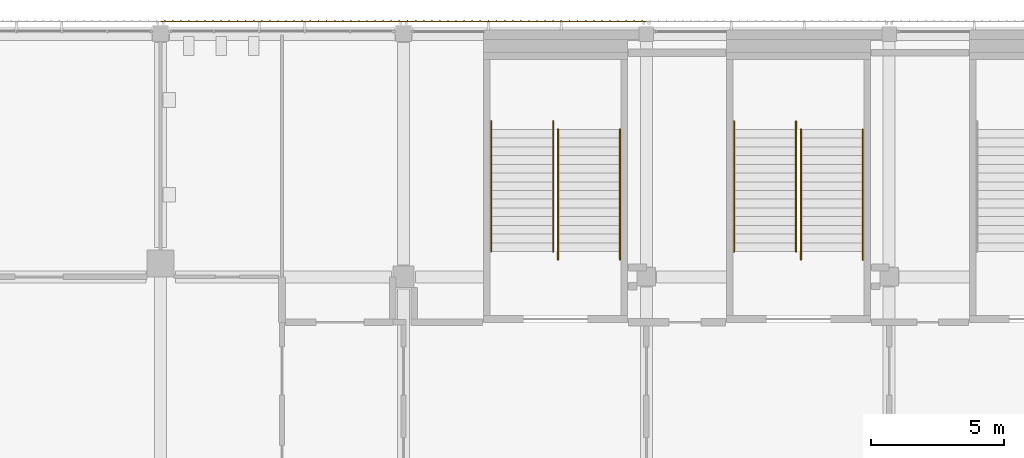
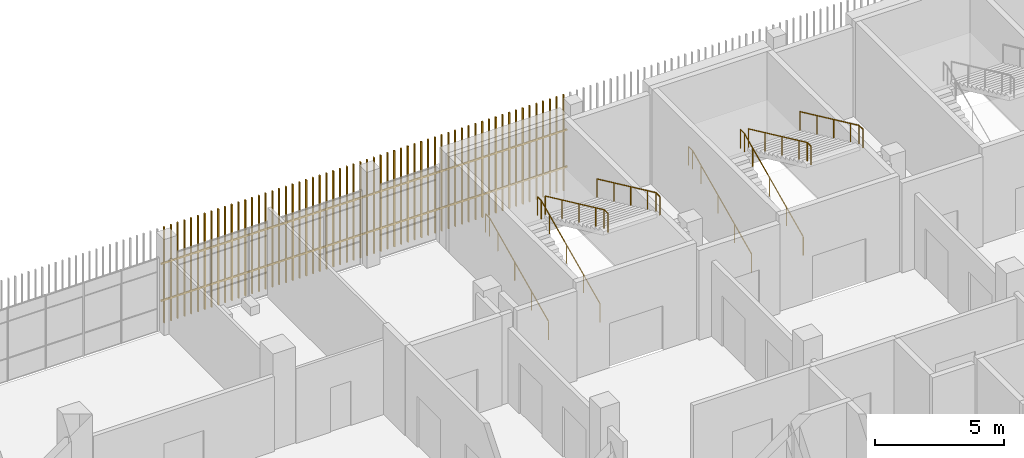
# One storey, part 119 of 126: 8 railings, 2 shading devices.
"""IFC4 building model written with IfcOpenShell, lengths in metres."""

import ifcopenshell
import ifcopenshell.guid

model = None  # the IFC model being written
_history = None  # IfcOwnerHistory: only IFC2X3 demands one
_inside = {}  # id of a spatial element -> (the spatial element, [elements in it])
_under = {}  # id of a project, library or spatial element -> (it, [spatial elements below it])
_declared = {}  # id of a project -> (the project, [libraries it declares])
_typed = {}  # id of a type object -> (the type object, [elements of that type])
_made_of = {}  # id of a material, layer set ... -> (it, [elements and type objects made of it])


def new_model(schema):
    """Start an empty IFC model of exactly this schema.

    Asked for "IFC4X3", IfcOpenShell would pick the latest addendum, in which some entities
    have other attributes; the version numbers below select the first issue.
    IFC2X3 requires an IfcOwnerHistory on every rooted entity: one is made here for all.
    """
    global model, _history
    if schema == "IFC4X3":
        model = ifcopenshell.file(schema_version=(4, 3, 0, 0))
    else:
        model = ifcopenshell.file(schema=schema)
    _inside.clear()
    _under.clear()
    _declared.clear()
    _typed.clear()
    _made_of.clear()
    _history = None
    if model.schema == "IFC2X3":
        org = make("IfcOrganization", Name="unknown")
        user = make(
            "IfcPersonAndOrganization",
            ThePerson=make("IfcPerson", FamilyName="unknown"),
            TheOrganization=org,
        )
        app = make(
            "IfcApplication",
            ApplicationDeveloper=org,
            Version="unknown",
            ApplicationFullName="unknown",
            ApplicationIdentifier="unknown",
        )
        _history = make(
            "IfcOwnerHistory",
            OwningUser=user,
            OwningApplication=app,
            ChangeAction="ADDED",
            CreationDate=0,
        )
    return model


def make(cls, **values):
    """One entity of the class cls with the attributes given. An attribute that is None is left unset."""
    return model.create_entity(
        cls, **{name: value for name, value in values.items() if value is not None}
    )


def rooted(cls, **values):
    """An entity with a GlobalId (a new one), such as an element, a storey or a relation."""
    return make(cls, GlobalId=ifcopenshell.guid.new(), OwnerHistory=_history, **values)


def si_unit(unit_type, name, prefix=None):
    """IfcSIUnit, for example si_unit("LENGTHUNIT", "METRE", prefix="MILLI")."""
    return make("IfcSIUnit", UnitType=unit_type, Prefix=prefix, Name=name)


def assignment(units):
    """IfcUnitAssignment: the units of a project."""
    return None if units is None else make("IfcUnitAssignment", Units=units)


def point(xyz):
    """IfcCartesianPoint."""
    return None if xyz is None else make("IfcCartesianPoint", Coordinates=xyz)


def direction(xyz):
    """IfcDirection."""
    return None if xyz is None else make("IfcDirection", DirectionRatios=xyz)


def frame(location, z_axis=None, x_axis=None):
    """IfcAxis2Placement3D, a coordinate frame: its origin and axes. An axis left out is left unset."""
    return make(
        "IfcAxis2Placement3D",
        Location=point(location),
        Axis=direction(z_axis),
        RefDirection=direction(x_axis),
    )


def frame_2d(location, x_axis=None):
    """IfcAxis2Placement2D, a coordinate frame in the plane: its origin and x axis."""
    return make(
        "IfcAxis2Placement2D", Location=point(location), RefDirection=direction(x_axis)
    )


def origin():
    """The frame at (0, 0, 0) with its axes left unset."""
    return frame((0.0, 0.0, 0.0))


def origin_2d():
    """The frame at (0, 0) in the plane with its x axis left unset."""
    return frame_2d((0.0, 0.0))


def place(relative_to, where):
    """IfcLocalPlacement: puts the frame where relative to a parent placement (None: the world)."""
    return make(
        "IfcLocalPlacement", PlacementRelTo=relative_to, RelativePlacement=where
    )


def context(
    kind, dimensions, precision=None, world=None, true_north=None, identifier=None
):
    """IfcGeometricRepresentationContext, for example the 3D "Model" context."""
    return make(
        "IfcGeometricRepresentationContext",
        ContextIdentifier=identifier,
        ContextType=kind,
        CoordinateSpaceDimension=dimensions,
        Precision=precision,
        WorldCoordinateSystem=world,
        TrueNorth=true_north,
    )


def subcontext(parent, identifier, kind, view, scale=None):
    """IfcGeometricRepresentationSubContext, for example "Body" below "Model"."""
    return make(
        "IfcGeometricRepresentationSubContext",
        ContextIdentifier=identifier,
        ContextType=kind,
        ParentContext=parent,
        TargetScale=scale,
        TargetView=view,
    )


def project(units=None, contexts=None):
    """IfcProject with its units and contexts."""
    return rooted(
        "IfcProject",
        Name="project",
        RepresentationContexts=contexts,
        UnitsInContext=assignment(units),
    )


def spatial(cls, under=None, at=None, **own):
    """A site, building, storey or space (cls), placed at a placement, below another one or the project."""
    s = rooted(cls, ObjectPlacement=at, **own)
    if under is not None:
        _under.setdefault(under.id(), (under, []))[1].append(s)
    return s


def profile(cls, at=None, kind="AREA", **sizes):
    """A parametric profile (cls). Its sizes go by their IFC names, for example OverallWidth=200.0."""
    return make(cls, ProfileType=kind, Position=at, **sizes)


def rectangle(**sizes):
    """IfcRectangleProfileDef."""
    return profile("IfcRectangleProfileDef", **sizes)


def circle(**sizes):
    """IfcCircleProfileDef."""
    return profile("IfcCircleProfileDef", **sizes)


def extrude(swept, where, along, depth):
    """IfcExtrudedAreaSolid: the profile swept, set in the frame where, extruded along a direction by depth."""
    return make(
        "IfcExtrudedAreaSolid",
        SweptArea=swept,
        Position=where,
        ExtrudedDirection=direction(along),
        Depth=depth,
    )


def shape(context_of_items, identifier, shape_type, items):
    """IfcShapeRepresentation: the items that make up one representation, for example the "Body"."""
    return make(
        "IfcShapeRepresentation",
        ContextOfItems=context_of_items,
        RepresentationIdentifier=identifier,
        RepresentationType=shape_type,
        Items=items,
    )


def material(Name=None, Category=None):
    """IfcMaterial."""
    return make("IfcMaterial", Name=Name, Category=Category)


def made_of(thing, what):
    """Note that an element or type object is made of a material, layer set ...; save() writes the relation."""
    if what is not None:
        _made_of.setdefault(what.id(), (what, []))[1].append(thing)
    return thing


def type_object(cls, material=None, **own):
    """A type object (cls), such as IfcWallType, which elements share."""
    return made_of(rooted(cls, **own), material)


def element(
    cls,
    number,
    at=None,
    inside=None,
    cuts=None,
    type_object=None,
    material=None,
    context=None,
    identifier="Body",
    shape_type=None,
    held_by="IfcProductDefinitionShape",
    body=None,
    shapes=None,
    **own,
):
    """One element of the class cls, such as IfcWall. Its Tag is "e" and its number.

    at: its placement. inside: the storey or other place that contains it. cuts: it is an
    opening in that element (IfcRelVoidsElement). A single representation is given by context,
    identifier, shape_type and body (its items); several are given by shapes. held_by: the class
    of the entity that holds the representations. save() writes the other relations.
    """
    e = rooted(cls, Tag="e%d" % number, ObjectPlacement=at, **own)
    if body is not None:
        shapes = [shape(context, identifier, shape_type, body)]
    if shapes is not None:
        e.Representation = make(held_by, Representations=shapes)
    if inside is not None:
        _inside.setdefault(inside.id(), (inside, []))[1].append(e)
    if cuts is not None:
        rooted(
            "IfcRelVoidsElement", RelatingBuildingElement=cuts, RelatedOpeningElement=e
        )
    if type_object is not None:
        _typed.setdefault(type_object.id(), (type_object, []))[1].append(e)
    return made_of(e, material)


def aggregate(whole, parts):
    """IfcRelAggregates: a whole, such as a stair, and the parts it consists of."""
    return rooted("IfcRelAggregates", RelatingObject=whole, RelatedObjects=parts)


def save(model, path):
    """Write the relations noted so far, then the file.

    IfcRelAggregates (storeys below a building ...), IfcRelContainedInSpatialStructure (elements
    in a storey), IfcRelDefinesByType, IfcRelAssociatesMaterial and IfcRelDeclares: one each for
    every whole, place, type object, material and project.
    """
    for whole, parts in _under.values():
        aggregate(whole, parts)
    for where, things in _inside.values():
        rooted(
            "IfcRelContainedInSpatialStructure",
            RelatedElements=things,
            RelatingStructure=where,
        )
    for kind, things in _typed.values():
        rooted("IfcRelDefinesByType", RelatedObjects=things, RelatingType=kind)
    for what, things in _made_of.values():
        rooted("IfcRelAssociatesMaterial", RelatedObjects=things, RelatingMaterial=what)
    for by, libraries in _declared.values():
        rooted("IfcRelDeclares", RelatingContext=by, RelatedDefinitions=libraries)
    model.write(path)


model = new_model("IFC4")

# Units and contexts
model_context = context("Model", 3, precision=1e-05, world=origin(), true_north=direction((0.0, 1.0)))
body_context = subcontext(model_context, "Body", "Model", "MODEL_VIEW")
ifc_project = project(units=[si_unit("LENGTHUNIT", "METRE"), si_unit("AREAUNIT", "SQUARE_METRE"), si_unit("VOLUMEUNIT", "CUBIC_METRE"), si_unit("PLANEANGLEUNIT", "RADIAN"), si_unit("MASSUNIT", "GRAM", prefix="KILO")], contexts=[model_context])

# Site, building, storey
site_placement = place(None, origin())
site = spatial("IfcSite", under=ifc_project, at=site_placement, CompositionType="ELEMENT")
building_placement = place(site_placement, origin())
building = spatial("IfcBuilding", under=site, at=building_placement, Name="Shirokan Park Arena", CompositionType="ELEMENT")
storey_placement = place(building_placement, frame((0.0, 0.0, 6.3701171875)))
storey = spatial("IfcBuildingStorey", under=building, at=storey_placement, Name="L01", CompositionType="ELEMENT", Elevation=6.3701171875)

# Railings
ifc_material_1 = material(Name="Stainless steel", Category="steel")
railing_type = type_object("IfcRailingType", Name="Stair handrail 900", PredefinedType="HANDRAIL", material=ifc_material_1)
railing_1_placement = place(storey_placement, frame((121.590087890625, 101.050048828125, 0.151611328125)))
element("IfcRailing", 1, at=railing_1_placement, inside=storey, type_object=railing_type, Name="Handrail Exit Stair 3.C L01 to L02", PredefinedType="HANDRAIL", context=body_context, shape_type="SweptSolid", body=[
    extrude(circle(Radius=0.02392578125, at=origin_2d()), frame((0.0, 0.0, 0.8759765625), z_axis=(0.0, 0.906999720516, 0.421131222998), x_axis=(-1.0, 0.0, 0.0)), (0.0, 0.0, 1.0), 1.440673828125),
    extrude(circle(Radius=0.02392578125, at=origin_2d()), frame((0.0, 1.306640625, 1.482421875), z_axis=(0.0, 0.907029769225, 0.421066500378), x_axis=(-1.0, 0.0, 0.0)), (0.0, 0.0, 1.0), 1.44091796875),
    extrude(circle(Radius=0.02392578125, at=origin_2d()), frame((0.0, 2.613525390625, 2.08935546875), z_axis=(0.0, 0.907094476872, 0.420927083981), x_axis=(-1.0, 0.0, 0.0)), (0.0, 0.0, 1.0), 1.440673828125),
    extrude(circle(Radius=0.02392578125, at=origin_2d()), frame((0.0, 3.92041015625, 2.69580078125), z_axis=(0.0, 0.906934982928, 0.421270621741), x_axis=(-1.0, 0.0, 0.0)), (0.0, 0.0, 1.0), 0.720458984375),
    extrude(circle(Radius=0.02392578125, at=origin_2d()), frame((0.0, 4.57373046875, 2.9990234375), z_axis=(0.0, 1.0, 0.0), x_axis=(-1.0, 0.0, 0.0)), (0.0, 0.0, 1.0), 0.300048828125),
    extrude(circle(Radius=0.02099609375, at=origin_2d()), origin(), (0.0, 0.0, 1.0), 0.851806640625),
    extrude(circle(Radius=0.02099609375, at=origin_2d()), frame((0.0, 1.306640625, 0.606689453125)), (0.0, 0.0, 1.0), 0.851806640625),
    extrude(circle(Radius=0.02099609375, at=origin_2d()), frame((0.0, 2.613525390625, 1.21337890625)), (0.0, 0.0, 1.0), 0.851806640625),
    extrude(circle(Radius=0.02099609375, at=origin_2d()), frame((0.0, 3.92041015625, 1.81982421875)), (0.0, 0.0, 1.0), 0.851806640625),
    extrude(circle(Radius=0.02099609375, at=origin_2d()), frame((0.0, 4.57373046875, 2.123291015625)), (0.0, 0.0, 1.0), 0.851806640625),
    extrude(circle(Radius=0.02099609375, at=origin_2d()), frame((0.0, 4.873779296875, 2.123291015625)), (0.0, 0.0, 1.0), 0.851806640625),
])
railing_2_placement = place(storey_placement, frame((123.909912109375, 101.050048828125, 0.151611328125)))
element("IfcRailing", 2, at=railing_2_placement, inside=storey, type_object=railing_type, Name="Handrail Exit Stair 3.C L01 to L02", PredefinedType="HANDRAIL", context=body_context, shape_type="SweptSolid", body=[
    extrude(circle(Radius=0.02392578125, at=origin_2d()), frame((0.0, 0.0, 0.8759765625), z_axis=(0.0, 0.906999720516, 0.421131222998), x_axis=(-1.0, 0.0, 0.0)), (0.0, 0.0, 1.0), 1.440673828125),
    extrude(circle(Radius=0.02392578125, at=origin_2d()), frame((0.0, 1.306640625, 1.482421875), z_axis=(0.0, 0.907029769225, 0.421066500378), x_axis=(-1.0, 0.0, 0.0)), (0.0, 0.0, 1.0), 1.44091796875),
    extrude(circle(Radius=0.02392578125, at=origin_2d()), frame((0.0, 2.613525390625, 2.08935546875), z_axis=(0.0, 0.907094476872, 0.420927083981), x_axis=(-1.0, 0.0, 0.0)), (0.0, 0.0, 1.0), 1.440673828125),
    extrude(circle(Radius=0.02392578125, at=origin_2d()), frame((0.0, 3.92041015625, 2.69580078125), z_axis=(0.0, 0.906934982928, 0.421270621741), x_axis=(-1.0, 0.0, 0.0)), (0.0, 0.0, 1.0), 0.720458984375),
    extrude(circle(Radius=0.02392578125, at=origin_2d()), frame((0.0, 4.57373046875, 2.9990234375), z_axis=(0.0, 1.0, 0.0), x_axis=(-1.0, 0.0, 0.0)), (0.0, 0.0, 1.0), 0.300048828125),
    extrude(circle(Radius=0.02099609375, at=origin_2d()), origin(), (0.0, 0.0, 1.0), 0.851806640625),
    extrude(circle(Radius=0.02099609375, at=origin_2d()), frame((0.0, 1.306640625, 0.606689453125)), (0.0, 0.0, 1.0), 0.851806640625),
    extrude(circle(Radius=0.02099609375, at=origin_2d()), frame((0.0, 2.613525390625, 1.21337890625)), (0.0, 0.0, 1.0), 0.851806640625),
    extrude(circle(Radius=0.02099609375, at=origin_2d()), frame((0.0, 3.92041015625, 1.81982421875)), (0.0, 0.0, 1.0), 0.851806640625),
    extrude(circle(Radius=0.02099609375, at=origin_2d()), frame((0.0, 4.57373046875, 2.123291015625)), (0.0, 0.0, 1.0), 0.851806640625),
    extrude(circle(Radius=0.02099609375, at=origin_2d()), frame((0.0, 4.873779296875, 2.123291015625)), (0.0, 0.0, 1.0), 0.851806640625),
])
railing_3_placement = place(storey_placement, frame((124.090087890625, 105.623779296875, 2.426513671875)))
element("IfcRailing", 3, at=railing_3_placement, inside=storey, type_object=railing_type, Name="Handrail Exit Stair 3.C L01 to L02", PredefinedType="HANDRAIL", context=body_context, shape_type="SweptSolid", body=[
    extrude(circle(Radius=0.02392578125, at=origin_2d()), frame((0.0, 0.0, 0.8759765625), z_axis=(0.0, -0.907029769225, 0.421066500378), x_axis=(1.0, 0.0, 0.0)), (0.0, 0.0, 1.0), 1.44091796875),
    extrude(circle(Radius=0.02392578125, at=origin_2d()), frame((0.0, -1.306884765625, 1.482421875), z_axis=(0.0, -0.906999720516, 0.421131222998), x_axis=(1.0, 0.0, 0.0)), (0.0, 0.0, 1.0), 1.440673828125),
    extrude(circle(Radius=0.02392578125, at=origin_2d()), frame((0.0, -2.613525390625, 2.08935546875), z_axis=(0.0, -0.907029769225, 0.421066500378), x_axis=(1.0, 0.0, 0.0)), (0.0, 0.0, 1.0), 1.44091796875),
    extrude(circle(Radius=0.02392578125, at=origin_2d()), frame((0.0, -3.92041015625, 2.69580078125), z_axis=(0.0, -0.907064445915, 0.420991794405), x_axis=(1.0, 0.0, 0.0)), (0.0, 0.0, 1.0), 0.72021484375),
    extrude(circle(Radius=0.02392578125, at=origin_2d()), frame((0.0, -4.57373046875, 2.9990234375), z_axis=(0.0, -1.0, 0.0), x_axis=(1.0, 0.0, 0.0)), (0.0, 0.0, 1.0), 0.300048828125),
    extrude(circle(Radius=0.02099609375, at=origin_2d()), origin(), (0.0, 0.0, 1.0), 0.851806640625),
    extrude(circle(Radius=0.02099609375, at=origin_2d()), frame((0.0, -1.306884765625, 0.606689453125)), (0.0, 0.0, 1.0), 0.851806640625),
    extrude(circle(Radius=0.02099609375, at=origin_2d()), frame((0.0, -2.613525390625, 1.21337890625)), (0.0, 0.0, 1.0), 0.851806640625),
    extrude(circle(Radius=0.02099609375, at=origin_2d()), frame((0.0, -3.92041015625, 1.820068359375)), (0.0, 0.0, 1.0), 0.851806640625),
    extrude(circle(Radius=0.02099609375, at=origin_2d()), frame((0.0, -4.57373046875, 2.123291015625)), (0.0, 0.0, 1.0), 0.851806640625),
    extrude(circle(Radius=0.02099609375, at=origin_2d()), frame((0.0, -4.873779296875, 2.123291015625)), (0.0, 0.0, 1.0), 0.851806640625),
])
railing_4_placement = place(storey_placement, frame((126.409912109375, 105.623779296875, 2.426513671875)))
element("IfcRailing", 4, at=railing_4_placement, inside=storey, type_object=railing_type, Name="Handrail Exit Stair 3.C L01 to L02", PredefinedType="HANDRAIL", context=body_context, shape_type="SweptSolid", body=[
    extrude(circle(Radius=0.02392578125, at=origin_2d()), frame((0.0, 0.0, 0.8759765625), z_axis=(0.0, -0.907029769225, 0.421066500378), x_axis=(1.0, 0.0, 0.0)), (0.0, 0.0, 1.0), 1.44091796875),
    extrude(circle(Radius=0.02392578125, at=origin_2d()), frame((0.0, -1.306884765625, 1.482421875), z_axis=(0.0, -0.906999720516, 0.421131222998), x_axis=(1.0, 0.0, 0.0)), (0.0, 0.0, 1.0), 1.440673828125),
    extrude(circle(Radius=0.02392578125, at=origin_2d()), frame((0.0, -2.613525390625, 2.08935546875), z_axis=(0.0, -0.907029769225, 0.421066500378), x_axis=(1.0, 0.0, 0.0)), (0.0, 0.0, 1.0), 1.44091796875),
    extrude(circle(Radius=0.02392578125, at=origin_2d()), frame((0.0, -3.92041015625, 2.69580078125), z_axis=(0.0, -0.907064445915, 0.420991794405), x_axis=(1.0, 0.0, 0.0)), (0.0, 0.0, 1.0), 0.72021484375),
    extrude(circle(Radius=0.02392578125, at=origin_2d()), frame((0.0, -4.57373046875, 2.9990234375), z_axis=(0.0, -1.0, 0.0), x_axis=(1.0, 0.0, 0.0)), (0.0, 0.0, 1.0), 0.300048828125),
    extrude(circle(Radius=0.02099609375, at=origin_2d()), origin(), (0.0, 0.0, 1.0), 0.851806640625),
    extrude(circle(Radius=0.02099609375, at=origin_2d()), frame((0.0, -1.306884765625, 0.606689453125)), (0.0, 0.0, 1.0), 0.851806640625),
    extrude(circle(Radius=0.02099609375, at=origin_2d()), frame((0.0, -2.613525390625, 1.21337890625)), (0.0, 0.0, 1.0), 0.851806640625),
    extrude(circle(Radius=0.02099609375, at=origin_2d()), frame((0.0, -3.92041015625, 1.820068359375)), (0.0, 0.0, 1.0), 0.851806640625),
    extrude(circle(Radius=0.02099609375, at=origin_2d()), frame((0.0, -4.57373046875, 2.123291015625)), (0.0, 0.0, 1.0), 0.851806640625),
    extrude(circle(Radius=0.02099609375, at=origin_2d()), frame((0.0, -4.873779296875, 2.123291015625)), (0.0, 0.0, 1.0), 0.851806640625),
])
railing_5_placement = place(storey_placement, frame((112.489990234375, 101.050048828125, 0.151611328125)))
element("IfcRailing", 5, at=railing_5_placement, inside=storey, type_object=railing_type, Name="Handrail Exit Stair 3.D L01 to L02", PredefinedType="HANDRAIL", context=body_context, shape_type="SweptSolid", body=[
    extrude(circle(Radius=0.02392578125, at=origin_2d()), frame((0.0, 0.0, 0.8759765625), z_axis=(0.0, 0.906999720516, 0.421131222998), x_axis=(-1.0, 0.0, 0.0)), (0.0, 0.0, 1.0), 1.440673828125),
    extrude(circle(Radius=0.02392578125, at=origin_2d()), frame((0.0, 1.306640625, 1.482421875), z_axis=(0.0, 0.907029769225, 0.421066500378), x_axis=(-1.0, 0.0, 0.0)), (0.0, 0.0, 1.0), 1.44091796875),
    extrude(circle(Radius=0.02392578125, at=origin_2d()), frame((0.0, 2.613525390625, 2.08935546875), z_axis=(0.0, 0.907094476872, 0.420927083981), x_axis=(-1.0, 0.0, 0.0)), (0.0, 0.0, 1.0), 1.440673828125),
    extrude(circle(Radius=0.02392578125, at=origin_2d()), frame((0.0, 3.92041015625, 2.69580078125), z_axis=(0.0, 0.906934982928, 0.421270621741), x_axis=(-1.0, 0.0, 0.0)), (0.0, 0.0, 1.0), 0.720458984375),
    extrude(circle(Radius=0.02392578125, at=origin_2d()), frame((0.0, 4.57373046875, 2.9990234375), z_axis=(0.0, 1.0, 0.0), x_axis=(-1.0, 0.0, 0.0)), (0.0, 0.0, 1.0), 0.300048828125),
    extrude(circle(Radius=0.02099609375, at=origin_2d()), origin(), (0.0, 0.0, 1.0), 0.851806640625),
    extrude(circle(Radius=0.02099609375, at=origin_2d()), frame((0.0, 1.306640625, 0.606689453125)), (0.0, 0.0, 1.0), 0.851806640625),
    extrude(circle(Radius=0.02099609375, at=origin_2d()), frame((0.0, 2.613525390625, 1.21337890625)), (0.0, 0.0, 1.0), 0.851806640625),
    extrude(circle(Radius=0.02099609375, at=origin_2d()), frame((0.0, 3.92041015625, 1.81982421875)), (0.0, 0.0, 1.0), 0.851806640625),
    extrude(circle(Radius=0.02099609375, at=origin_2d()), frame((0.0, 4.57373046875, 2.123291015625)), (0.0, 0.0, 1.0), 0.851806640625),
    extrude(circle(Radius=0.02099609375, at=origin_2d()), frame((0.0, 4.873779296875, 2.123291015625)), (0.0, 0.0, 1.0), 0.851806640625),
])
railing_6_placement = place(storey_placement, frame((114.81005859375, 101.050048828125, 0.151611328125)))
element("IfcRailing", 6, at=railing_6_placement, inside=storey, type_object=railing_type, Name="Handrail Exit Stair 3.D L01 to L02", PredefinedType="HANDRAIL", context=body_context, shape_type="SweptSolid", body=[
    extrude(circle(Radius=0.02392578125, at=origin_2d()), frame((0.0, 0.0, 0.8759765625), z_axis=(0.0, 0.906999720516, 0.421131222998), x_axis=(-1.0, 0.0, 0.0)), (0.0, 0.0, 1.0), 1.440673828125),
    extrude(circle(Radius=0.02392578125, at=origin_2d()), frame((0.0, 1.306640625, 1.482421875), z_axis=(0.0, 0.907029769225, 0.421066500378), x_axis=(-1.0, 0.0, 0.0)), (0.0, 0.0, 1.0), 1.44091796875),
    extrude(circle(Radius=0.02392578125, at=origin_2d()), frame((0.0, 2.613525390625, 2.08935546875), z_axis=(0.0, 0.907094476872, 0.420927083981), x_axis=(-1.0, 0.0, 0.0)), (0.0, 0.0, 1.0), 1.440673828125),
    extrude(circle(Radius=0.02392578125, at=origin_2d()), frame((0.0, 3.92041015625, 2.69580078125), z_axis=(0.0, 0.906934982928, 0.421270621741), x_axis=(-1.0, 0.0, 0.0)), (0.0, 0.0, 1.0), 0.720458984375),
    extrude(circle(Radius=0.02392578125, at=origin_2d()), frame((0.0, 4.57373046875, 2.9990234375), z_axis=(0.0, 1.0, 0.0), x_axis=(-1.0, 0.0, 0.0)), (0.0, 0.0, 1.0), 0.300048828125),
    extrude(circle(Radius=0.02099609375, at=origin_2d()), origin(), (0.0, 0.0, 1.0), 0.851806640625),
    extrude(circle(Radius=0.02099609375, at=origin_2d()), frame((0.0, 1.306640625, 0.606689453125)), (0.0, 0.0, 1.0), 0.851806640625),
    extrude(circle(Radius=0.02099609375, at=origin_2d()), frame((0.0, 2.613525390625, 1.21337890625)), (0.0, 0.0, 1.0), 0.851806640625),
    extrude(circle(Radius=0.02099609375, at=origin_2d()), frame((0.0, 3.92041015625, 1.81982421875)), (0.0, 0.0, 1.0), 0.851806640625),
    extrude(circle(Radius=0.02099609375, at=origin_2d()), frame((0.0, 4.57373046875, 2.123291015625)), (0.0, 0.0, 1.0), 0.851806640625),
    extrude(circle(Radius=0.02099609375, at=origin_2d()), frame((0.0, 4.873779296875, 2.123291015625)), (0.0, 0.0, 1.0), 0.851806640625),
])
railing_7_placement = place(storey_placement, frame((114.989990234375, 105.623779296875, 2.426513671875)))
element("IfcRailing", 7, at=railing_7_placement, inside=storey, type_object=railing_type, Name="Handrail Exit Stair 3.D L01 to L02", PredefinedType="HANDRAIL", context=body_context, shape_type="SweptSolid", body=[
    extrude(circle(Radius=0.02392578125, at=origin_2d()), frame((0.0, 0.0, 0.8759765625), z_axis=(0.0, -0.907029769225, 0.421066500378), x_axis=(1.0, 0.0, 0.0)), (0.0, 0.0, 1.0), 1.44091796875),
    extrude(circle(Radius=0.02392578125, at=origin_2d()), frame((0.0, -1.306884765625, 1.482421875), z_axis=(0.0, -0.906999720516, 0.421131222998), x_axis=(1.0, 0.0, 0.0)), (0.0, 0.0, 1.0), 1.440673828125),
    extrude(circle(Radius=0.02392578125, at=origin_2d()), frame((0.0, -2.613525390625, 2.08935546875), z_axis=(0.0, -0.907029769225, 0.421066500378), x_axis=(1.0, 0.0, 0.0)), (0.0, 0.0, 1.0), 1.44091796875),
    extrude(circle(Radius=0.02392578125, at=origin_2d()), frame((0.0, -3.92041015625, 2.69580078125), z_axis=(0.0, -0.907064445915, 0.420991794405), x_axis=(1.0, 0.0, 0.0)), (0.0, 0.0, 1.0), 0.72021484375),
    extrude(circle(Radius=0.02392578125, at=origin_2d()), frame((0.0, -4.57373046875, 2.9990234375), z_axis=(0.0, -1.0, 0.0), x_axis=(1.0, 0.0, 0.0)), (0.0, 0.0, 1.0), 0.300048828125),
    extrude(circle(Radius=0.02099609375, at=origin_2d()), origin(), (0.0, 0.0, 1.0), 0.851806640625),
    extrude(circle(Radius=0.02099609375, at=origin_2d()), frame((0.0, -1.306884765625, 0.606689453125)), (0.0, 0.0, 1.0), 0.851806640625),
    extrude(circle(Radius=0.02099609375, at=origin_2d()), frame((0.0, -2.613525390625, 1.21337890625)), (0.0, 0.0, 1.0), 0.851806640625),
    extrude(circle(Radius=0.02099609375, at=origin_2d()), frame((0.0, -3.92041015625, 1.820068359375)), (0.0, 0.0, 1.0), 0.851806640625),
    extrude(circle(Radius=0.02099609375, at=origin_2d()), frame((0.0, -4.57373046875, 2.123291015625)), (0.0, 0.0, 1.0), 0.851806640625),
    extrude(circle(Radius=0.02099609375, at=origin_2d()), frame((0.0, -4.873779296875, 2.123291015625)), (0.0, 0.0, 1.0), 0.851806640625),
])
railing_8_placement = place(storey_placement, frame((117.31005859375, 105.623779296875, 2.426513671875)))
element("IfcRailing", 8, at=railing_8_placement, inside=storey, type_object=railing_type, Name="Handrail Exit Stair 3.D L01 to L02", PredefinedType="HANDRAIL", context=body_context, shape_type="SweptSolid", body=[
    extrude(circle(Radius=0.02392578125, at=origin_2d()), frame((0.0, 0.0, 0.8759765625), z_axis=(0.0, -0.907029769225, 0.421066500378), x_axis=(1.0, 0.0, 0.0)), (0.0, 0.0, 1.0), 1.44091796875),
    extrude(circle(Radius=0.02392578125, at=origin_2d()), frame((0.0, -1.306884765625, 1.482421875), z_axis=(0.0, -0.906999720516, 0.421131222998), x_axis=(1.0, 0.0, 0.0)), (0.0, 0.0, 1.0), 1.440673828125),
    extrude(circle(Radius=0.02392578125, at=origin_2d()), frame((0.0, -2.613525390625, 2.08935546875), z_axis=(0.0, -0.907029769225, 0.421066500378), x_axis=(1.0, 0.0, 0.0)), (0.0, 0.0, 1.0), 1.44091796875),
    extrude(circle(Radius=0.02392578125, at=origin_2d()), frame((0.0, -3.92041015625, 2.69580078125), z_axis=(0.0, -0.907064445915, 0.420991794405), x_axis=(1.0, 0.0, 0.0)), (0.0, 0.0, 1.0), 0.72021484375),
    extrude(circle(Radius=0.02392578125, at=origin_2d()), frame((0.0, -4.57373046875, 2.9990234375), z_axis=(0.0, -1.0, 0.0), x_axis=(1.0, 0.0, 0.0)), (0.0, 0.0, 1.0), 0.300048828125),
    extrude(circle(Radius=0.02099609375, at=origin_2d()), origin(), (0.0, 0.0, 1.0), 0.851806640625),
    extrude(circle(Radius=0.02099609375, at=origin_2d()), frame((0.0, -1.306884765625, 0.606689453125)), (0.0, 0.0, 1.0), 0.851806640625),
    extrude(circle(Radius=0.02099609375, at=origin_2d()), frame((0.0, -2.613525390625, 1.21337890625)), (0.0, 0.0, 1.0), 0.851806640625),
    extrude(circle(Radius=0.02099609375, at=origin_2d()), frame((0.0, -3.92041015625, 1.820068359375)), (0.0, 0.0, 1.0), 0.851806640625),
    extrude(circle(Radius=0.02099609375, at=origin_2d()), frame((0.0, -4.57373046875, 2.123291015625)), (0.0, 0.0, 1.0), 0.851806640625),
    extrude(circle(Radius=0.02099609375, at=origin_2d()), frame((0.0, -4.873779296875, 2.123291015625)), (0.0, 0.0, 1.0), 0.851806640625),
])

# Shading devices
ifc_material_2 = material(Name="Timber louvre veil (cedar)", Category="wood")
shading_device_type = type_object("IfcShadingDeviceType", Name="Timber louvre veil panel", PredefinedType="JALOUSIE", material=ifc_material_2)
shading_device_1_placement = place(storey_placement, origin())
element("IfcShadingDevice", 9, at=shading_device_1_placement, inside=storey, type_object=shading_device_type, Name="Timber louvre veil north bay 4 L01", PredefinedType="JALOUSIE", context=body_context, shape_type="SweptSolid", body=[
    extrude(rectangle(XDim=0.050048828125, YDim=0.080078125, at=origin_2d()), frame((118.1484375, 109.68505859375, 0.0), z_axis=(0.0, 0.0, 1.0), x_axis=(-1.0, 0.0, 0.0)), (0.0, 0.0, 1.0), 4.550048828125),
    extrude(rectangle(XDim=0.050048828125, YDim=0.080078125, at=origin_2d()), frame((117.844970703125, 109.68505859375, 0.0), z_axis=(0.0, 0.0, 1.0), x_axis=(-1.0, 0.0, 0.0)), (0.0, 0.0, 1.0), 4.550048828125),
    extrude(rectangle(XDim=0.050048828125, YDim=0.080078125, at=origin_2d()), frame((117.541748046875, 109.68505859375, 0.0), z_axis=(0.0, 0.0, 1.0), x_axis=(-1.0, 0.0, 0.0)), (0.0, 0.0, 1.0), 4.550048828125),
    extrude(rectangle(XDim=0.050048828125, YDim=0.080078125, at=origin_2d()), frame((117.23828125, 109.68505859375, 0.0), z_axis=(0.0, 0.0, 1.0), x_axis=(-1.0, 0.0, 0.0)), (0.0, 0.0, 1.0), 4.550048828125),
    extrude(rectangle(XDim=0.050048828125, YDim=0.080078125, at=origin_2d()), frame((116.93505859375, 109.68505859375, 0.0), z_axis=(0.0, 0.0, 1.0), x_axis=(-1.0, 0.0, 0.0)), (0.0, 0.0, 1.0), 4.550048828125),
    extrude(rectangle(XDim=0.050048828125, YDim=0.080078125, at=origin_2d()), frame((116.631591796875, 109.68505859375, 0.0), z_axis=(0.0, 0.0, 1.0), x_axis=(-1.0, 0.0, 0.0)), (0.0, 0.0, 1.0), 4.550048828125),
    extrude(rectangle(XDim=0.050048828125, YDim=0.080078125, at=origin_2d()), frame((116.328369140625, 109.68505859375, 0.0), z_axis=(0.0, 0.0, 1.0), x_axis=(-1.0, 0.0, 0.0)), (0.0, 0.0, 1.0), 4.550048828125),
    extrude(rectangle(XDim=0.050048828125, YDim=0.080078125, at=origin_2d()), frame((116.02490234375, 109.68505859375, 0.0), z_axis=(0.0, 0.0, 1.0), x_axis=(-1.0, 0.0, 0.0)), (0.0, 0.0, 1.0), 4.550048828125),
    extrude(rectangle(XDim=0.050048828125, YDim=0.080078125, at=origin_2d()), frame((115.7216796875, 109.68505859375, 0.0), z_axis=(0.0, 0.0, 1.0), x_axis=(-1.0, 0.0, 0.0)), (0.0, 0.0, 1.0), 4.550048828125),
    extrude(rectangle(XDim=0.050048828125, YDim=0.080078125, at=origin_2d()), frame((115.418212890625, 109.68505859375, 0.0), z_axis=(0.0, 0.0, 1.0), x_axis=(-1.0, 0.0, 0.0)), (0.0, 0.0, 1.0), 4.550048828125),
    extrude(rectangle(XDim=0.050048828125, YDim=0.080078125, at=origin_2d()), frame((115.114990234375, 109.68505859375, 0.0), z_axis=(0.0, 0.0, 1.0), x_axis=(-1.0, 0.0, 0.0)), (0.0, 0.0, 1.0), 4.550048828125),
    extrude(rectangle(XDim=0.050048828125, YDim=0.080078125, at=origin_2d()), frame((114.811767578125, 109.68505859375, 0.0), z_axis=(0.0, 0.0, 1.0), x_axis=(-1.0, 0.0, 0.0)), (0.0, 0.0, 1.0), 4.550048828125),
    extrude(rectangle(XDim=0.050048828125, YDim=0.080078125, at=origin_2d()), frame((114.50830078125, 109.68505859375, 0.0), z_axis=(0.0, 0.0, 1.0), x_axis=(-1.0, 0.0, 0.0)), (0.0, 0.0, 1.0), 4.550048828125),
    extrude(rectangle(XDim=0.050048828125, YDim=0.080078125, at=origin_2d()), frame((114.205078125, 109.68505859375, 0.0), z_axis=(0.0, 0.0, 1.0), x_axis=(-1.0, 0.0, 0.0)), (0.0, 0.0, 1.0), 4.550048828125),
    extrude(rectangle(XDim=0.050048828125, YDim=0.080078125, at=origin_2d()), frame((113.901611328125, 109.68505859375, 0.0), z_axis=(0.0, 0.0, 1.0), x_axis=(-1.0, 0.0, 0.0)), (0.0, 0.0, 1.0), 4.550048828125),
    extrude(rectangle(XDim=0.050048828125, YDim=0.080078125, at=origin_2d()), frame((113.598388671875, 109.68505859375, 0.0), z_axis=(0.0, 0.0, 1.0), x_axis=(-1.0, 0.0, 0.0)), (0.0, 0.0, 1.0), 4.550048828125),
    extrude(rectangle(XDim=0.050048828125, YDim=0.080078125, at=origin_2d()), frame((113.294921875, 109.68505859375, 0.0), z_axis=(0.0, 0.0, 1.0), x_axis=(-1.0, 0.0, 0.0)), (0.0, 0.0, 1.0), 4.550048828125),
    extrude(rectangle(XDim=0.050048828125, YDim=0.080078125, at=origin_2d()), frame((112.99169921875, 109.68505859375, 0.0), z_axis=(0.0, 0.0, 1.0), x_axis=(-1.0, 0.0, 0.0)), (0.0, 0.0, 1.0), 4.550048828125),
    extrude(rectangle(XDim=0.050048828125, YDim=0.080078125, at=origin_2d()), frame((112.688232421875, 109.68505859375, 0.0), z_axis=(0.0, 0.0, 1.0), x_axis=(-1.0, 0.0, 0.0)), (0.0, 0.0, 1.0), 4.550048828125),
    extrude(rectangle(XDim=0.050048828125, YDim=0.080078125, at=origin_2d()), frame((112.385009765625, 109.68505859375, 0.0), z_axis=(0.0, 0.0, 1.0), x_axis=(-1.0, 0.0, 0.0)), (0.0, 0.0, 1.0), 4.550048828125),
    extrude(rectangle(XDim=0.050048828125, YDim=0.080078125, at=origin_2d()), frame((112.081787109375, 109.68505859375, 0.0), z_axis=(0.0, 0.0, 1.0), x_axis=(-1.0, 0.0, 0.0)), (0.0, 0.0, 1.0), 4.550048828125),
    extrude(rectangle(XDim=0.050048828125, YDim=0.080078125, at=origin_2d()), frame((111.7783203125, 109.68505859375, 0.0), z_axis=(0.0, 0.0, 1.0), x_axis=(-1.0, 0.0, 0.0)), (0.0, 0.0, 1.0), 4.550048828125),
    extrude(rectangle(XDim=0.050048828125, YDim=0.080078125, at=origin_2d()), frame((111.47509765625, 109.68505859375, 0.0), z_axis=(0.0, 0.0, 1.0), x_axis=(-1.0, 0.0, 0.0)), (0.0, 0.0, 1.0), 4.550048828125),
    extrude(rectangle(XDim=0.050048828125, YDim=0.080078125, at=origin_2d()), frame((111.171630859375, 109.68505859375, 0.0), z_axis=(0.0, 0.0, 1.0), x_axis=(-1.0, 0.0, 0.0)), (0.0, 0.0, 1.0), 4.550048828125),
    extrude(rectangle(XDim=0.050048828125, YDim=0.080078125, at=origin_2d()), frame((110.868408203125, 109.68505859375, 0.0), z_axis=(0.0, 0.0, 1.0), x_axis=(-1.0, 0.0, 0.0)), (0.0, 0.0, 1.0), 4.550048828125),
    extrude(rectangle(XDim=0.050048828125, YDim=0.080078125, at=origin_2d()), frame((110.56494140625, 109.68505859375, 0.0), z_axis=(0.0, 0.0, 1.0), x_axis=(-1.0, 0.0, 0.0)), (0.0, 0.0, 1.0), 4.550048828125),
    extrude(rectangle(XDim=0.050048828125, YDim=0.080078125, at=origin_2d()), frame((110.26171875, 109.68505859375, 0.0), z_axis=(0.0, 0.0, 1.0), x_axis=(-1.0, 0.0, 0.0)), (0.0, 0.0, 1.0), 4.550048828125),
    extrude(rectangle(XDim=0.050048828125, YDim=0.080078125, at=origin_2d()), frame((109.958251953125, 109.68505859375, 0.0), z_axis=(0.0, 0.0, 1.0), x_axis=(-1.0, 0.0, 0.0)), (0.0, 0.0, 1.0), 4.550048828125),
    extrude(rectangle(XDim=0.050048828125, YDim=0.080078125, at=origin_2d()), frame((109.655029296875, 109.68505859375, 0.0), z_axis=(0.0, 0.0, 1.0), x_axis=(-1.0, 0.0, 0.0)), (0.0, 0.0, 1.0), 4.550048828125),
    extrude(rectangle(XDim=0.050048828125, YDim=0.080078125, at=origin_2d()), frame((109.3515625, 109.68505859375, 0.0), z_axis=(0.0, 0.0, 1.0), x_axis=(-1.0, 0.0, 0.0)), (0.0, 0.0, 1.0), 4.550048828125),
    extrude(rectangle(XDim=9.10009765625, YDim=0.050048828125, at=origin_2d()), frame((113.75, 109.669921875, 1.059814453125), z_axis=(0.0, 0.0, 1.0), x_axis=(-1.0, 0.0, 0.0)), (0.0, 0.0, 1.0), 0.080078125),
    extrude(rectangle(XDim=9.10009765625, YDim=0.050048828125, at=origin_2d()), frame((113.75, 109.669921875, 2.809814453125), z_axis=(0.0, 0.0, 1.0), x_axis=(-1.0, 0.0, 0.0)), (0.0, 0.0, 1.0), 0.080078125),
])
shading_device_2_placement = place(storey_placement, origin())
element("IfcShadingDevice", 10, at=shading_device_2_placement, inside=storey, type_object=shading_device_type, Name="Timber louvre veil north bay 5 L01", PredefinedType="JALOUSIE", context=body_context, shape_type="SweptSolid", body=[
    extrude(rectangle(XDim=0.050048828125, YDim=0.080078125, at=origin_2d()), frame((109.04833984375, 109.68505859375, 0.0), z_axis=(0.0, 0.0, 1.0), x_axis=(-1.0, 0.0, 0.0)), (0.0, 0.0, 1.0), 4.550048828125),
    extrude(rectangle(XDim=0.050048828125, YDim=0.080078125, at=origin_2d()), frame((108.7451171875, 109.68505859375, 0.0), z_axis=(0.0, 0.0, 1.0), x_axis=(-1.0, 0.0, 0.0)), (0.0, 0.0, 1.0), 4.550048828125),
    extrude(rectangle(XDim=0.050048828125, YDim=0.080078125, at=origin_2d()), frame((108.441650390625, 109.68505859375, 0.0), z_axis=(0.0, 0.0, 1.0), x_axis=(-1.0, 0.0, 0.0)), (0.0, 0.0, 1.0), 4.550048828125),
    extrude(rectangle(XDim=0.050048828125, YDim=0.080078125, at=origin_2d()), frame((108.138427734375, 109.68505859375, 0.0), z_axis=(0.0, 0.0, 1.0), x_axis=(-1.0, 0.0, 0.0)), (0.0, 0.0, 1.0), 4.550048828125),
    extrude(rectangle(XDim=0.050048828125, YDim=0.080078125, at=origin_2d()), frame((107.8349609375, 109.68505859375, 0.0), z_axis=(0.0, 0.0, 1.0), x_axis=(-1.0, 0.0, 0.0)), (0.0, 0.0, 1.0), 4.550048828125),
    extrude(rectangle(XDim=0.050048828125, YDim=0.080078125, at=origin_2d()), frame((107.53173828125, 109.68505859375, 0.0), z_axis=(0.0, 0.0, 1.0), x_axis=(-1.0, 0.0, 0.0)), (0.0, 0.0, 1.0), 4.550048828125),
    extrude(rectangle(XDim=0.050048828125, YDim=0.080078125, at=origin_2d()), frame((107.228271484375, 109.68505859375, 0.0), z_axis=(0.0, 0.0, 1.0), x_axis=(-1.0, 0.0, 0.0)), (0.0, 0.0, 1.0), 4.550048828125),
    extrude(rectangle(XDim=0.050048828125, YDim=0.080078125, at=origin_2d()), frame((106.925048828125, 109.68505859375, 0.0), z_axis=(0.0, 0.0, 1.0), x_axis=(-1.0, 0.0, 0.0)), (0.0, 0.0, 1.0), 4.550048828125),
    extrude(rectangle(XDim=0.050048828125, YDim=0.080078125, at=origin_2d()), frame((106.62158203125, 109.68505859375, 0.0), z_axis=(0.0, 0.0, 1.0), x_axis=(-1.0, 0.0, 0.0)), (0.0, 0.0, 1.0), 4.550048828125),
    extrude(rectangle(XDim=0.050048828125, YDim=0.080078125, at=origin_2d()), frame((106.318359375, 109.68505859375, 0.0), z_axis=(0.0, 0.0, 1.0), x_axis=(-1.0, 0.0, 0.0)), (0.0, 0.0, 1.0), 4.550048828125),
    extrude(rectangle(XDim=0.050048828125, YDim=0.080078125, at=origin_2d()), frame((106.014892578125, 109.68505859375, 0.0), z_axis=(0.0, 0.0, 1.0), x_axis=(-1.0, 0.0, 0.0)), (0.0, 0.0, 1.0), 4.550048828125),
    extrude(rectangle(XDim=0.050048828125, YDim=0.080078125, at=origin_2d()), frame((105.711669921875, 109.68505859375, 0.0), z_axis=(0.0, 0.0, 1.0), x_axis=(-1.0, 0.0, 0.0)), (0.0, 0.0, 1.0), 4.550048828125),
    extrude(rectangle(XDim=0.050048828125, YDim=0.080078125, at=origin_2d()), frame((105.408447265625, 109.68505859375, 0.0), z_axis=(0.0, 0.0, 1.0), x_axis=(-1.0, 0.0, 0.0)), (0.0, 0.0, 1.0), 4.550048828125),
    extrude(rectangle(XDim=0.050048828125, YDim=0.080078125, at=origin_2d()), frame((105.10498046875, 109.68505859375, 0.0), z_axis=(0.0, 0.0, 1.0), x_axis=(-1.0, 0.0, 0.0)), (0.0, 0.0, 1.0), 4.550048828125),
    extrude(rectangle(XDim=0.050048828125, YDim=0.080078125, at=origin_2d()), frame((104.8017578125, 109.68505859375, 0.0), z_axis=(0.0, 0.0, 1.0), x_axis=(-1.0, 0.0, 0.0)), (0.0, 0.0, 1.0), 4.550048828125),
    extrude(rectangle(XDim=0.050048828125, YDim=0.080078125, at=origin_2d()), frame((104.498291015625, 109.68505859375, 0.0), z_axis=(0.0, 0.0, 1.0), x_axis=(-1.0, 0.0, 0.0)), (0.0, 0.0, 1.0), 4.550048828125),
    extrude(rectangle(XDim=0.050048828125, YDim=0.080078125, at=origin_2d()), frame((104.195068359375, 109.68505859375, 0.0), z_axis=(0.0, 0.0, 1.0), x_axis=(-1.0, 0.0, 0.0)), (0.0, 0.0, 1.0), 4.550048828125),
    extrude(rectangle(XDim=0.050048828125, YDim=0.080078125, at=origin_2d()), frame((103.8916015625, 109.68505859375, 0.0), z_axis=(0.0, 0.0, 1.0), x_axis=(-1.0, 0.0, 0.0)), (0.0, 0.0, 1.0), 4.550048828125),
    extrude(rectangle(XDim=0.050048828125, YDim=0.080078125, at=origin_2d()), frame((103.58837890625, 109.68505859375, 0.0), z_axis=(0.0, 0.0, 1.0), x_axis=(-1.0, 0.0, 0.0)), (0.0, 0.0, 1.0), 4.550048828125),
    extrude(rectangle(XDim=0.050048828125, YDim=0.080078125, at=origin_2d()), frame((103.284912109375, 109.68505859375, 0.0), z_axis=(0.0, 0.0, 1.0), x_axis=(-1.0, 0.0, 0.0)), (0.0, 0.0, 1.0), 4.550048828125),
    extrude(rectangle(XDim=0.050048828125, YDim=0.080078125, at=origin_2d()), frame((102.981689453125, 109.68505859375, 0.0), z_axis=(0.0, 0.0, 1.0), x_axis=(-1.0, 0.0, 0.0)), (0.0, 0.0, 1.0), 4.550048828125),
    extrude(rectangle(XDim=0.050048828125, YDim=0.080078125, at=origin_2d()), frame((102.67822265625, 109.68505859375, 0.0), z_axis=(0.0, 0.0, 1.0), x_axis=(-1.0, 0.0, 0.0)), (0.0, 0.0, 1.0), 4.550048828125),
    extrude(rectangle(XDim=0.050048828125, YDim=0.080078125, at=origin_2d()), frame((102.375, 109.68505859375, 0.0), z_axis=(0.0, 0.0, 1.0), x_axis=(-1.0, 0.0, 0.0)), (0.0, 0.0, 1.0), 4.550048828125),
    extrude(rectangle(XDim=0.050048828125, YDim=0.080078125, at=origin_2d()), frame((102.07177734375, 109.68505859375, 0.0), z_axis=(0.0, 0.0, 1.0), x_axis=(-1.0, 0.0, 0.0)), (0.0, 0.0, 1.0), 4.550048828125),
    extrude(rectangle(XDim=0.050048828125, YDim=0.080078125, at=origin_2d()), frame((101.768310546875, 109.68505859375, 0.0), z_axis=(0.0, 0.0, 1.0), x_axis=(-1.0, 0.0, 0.0)), (0.0, 0.0, 1.0), 4.550048828125),
    extrude(rectangle(XDim=0.050048828125, YDim=0.080078125, at=origin_2d()), frame((101.465087890625, 109.68505859375, 0.0), z_axis=(0.0, 0.0, 1.0), x_axis=(-1.0, 0.0, 0.0)), (0.0, 0.0, 1.0), 4.550048828125),
    extrude(rectangle(XDim=0.050048828125, YDim=0.080078125, at=origin_2d()), frame((101.16162109375, 109.68505859375, 0.0), z_axis=(0.0, 0.0, 1.0), x_axis=(-1.0, 0.0, 0.0)), (0.0, 0.0, 1.0), 4.550048828125),
    extrude(rectangle(XDim=0.050048828125, YDim=0.080078125, at=origin_2d()), frame((100.8583984375, 109.68505859375, 0.0), z_axis=(0.0, 0.0, 1.0), x_axis=(-1.0, 0.0, 0.0)), (0.0, 0.0, 1.0), 4.550048828125),
    extrude(rectangle(XDim=0.050048828125, YDim=0.080078125, at=origin_2d()), frame((100.554931640625, 109.68505859375, 0.0), z_axis=(0.0, 0.0, 1.0), x_axis=(-1.0, 0.0, 0.0)), (0.0, 0.0, 1.0), 4.550048828125),
    extrude(rectangle(XDim=0.050048828125, YDim=0.080078125, at=origin_2d()), frame((100.251708984375, 109.68505859375, 0.0), z_axis=(0.0, 0.0, 1.0), x_axis=(-1.0, 0.0, 0.0)), (0.0, 0.0, 1.0), 4.550048828125),
    extrude(rectangle(XDim=9.10009765625, YDim=0.050048828125, at=origin_2d()), frame((104.64990234375, 109.669921875, 1.059814453125), z_axis=(0.0, 0.0, 1.0), x_axis=(-1.0, 0.0, 0.0)), (0.0, 0.0, 1.0), 0.080078125),
    extrude(rectangle(XDim=9.10009765625, YDim=0.050048828125, at=origin_2d()), frame((104.64990234375, 109.669921875, 2.809814453125), z_axis=(0.0, 0.0, 1.0), x_axis=(-1.0, 0.0, 0.0)), (0.0, 0.0, 1.0), 0.080078125),
])

save(model, "model.ifc")
